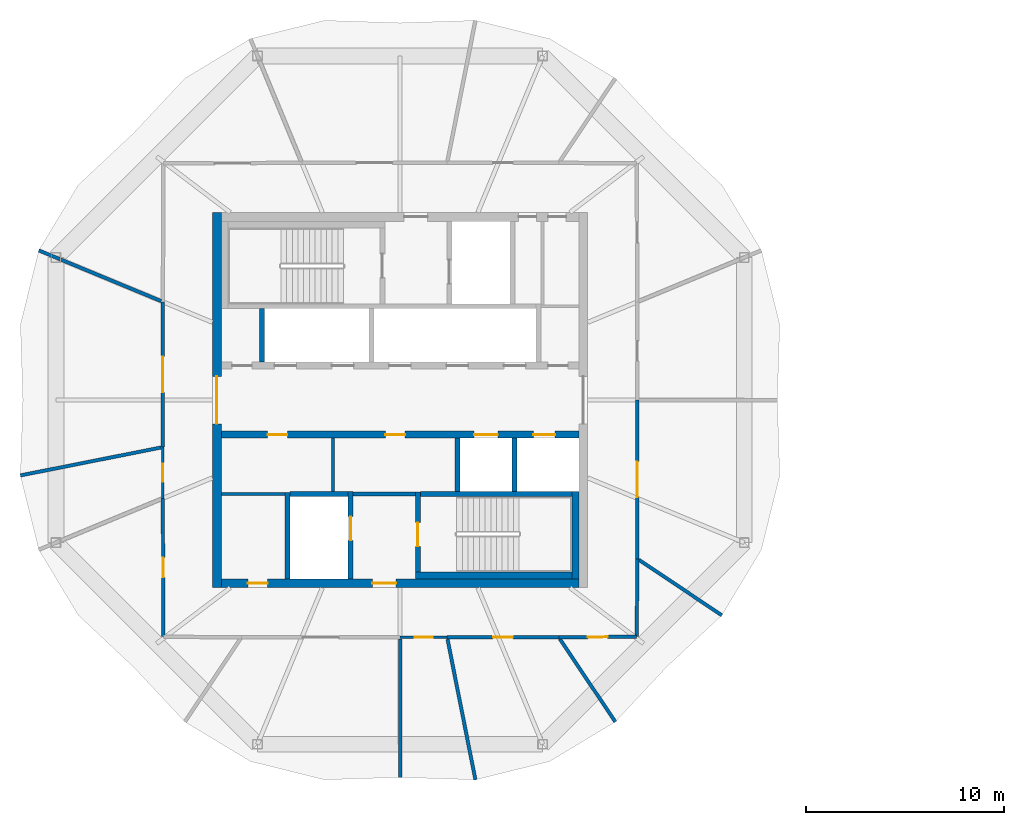
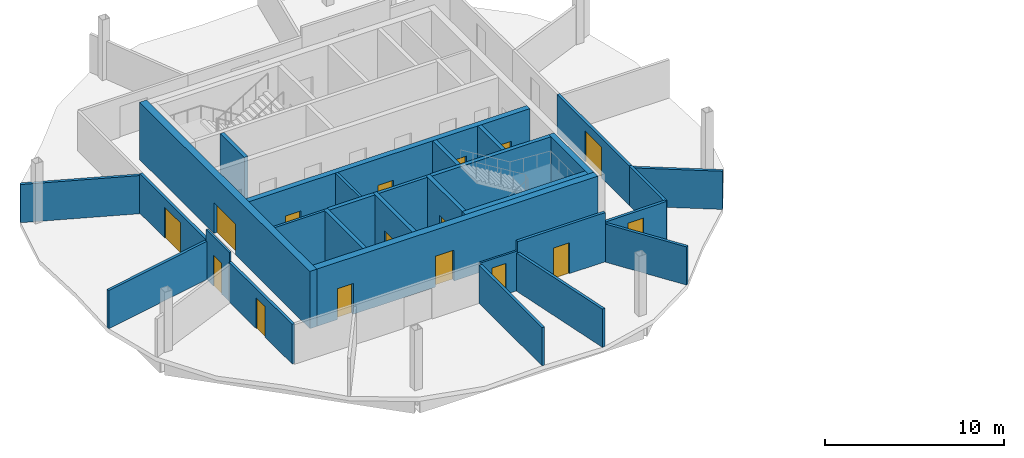
# One storey, part 5 of 10: 30 walls, 16 doors, 16 openings.
"""IFC4 building model written with IfcOpenShell, lengths in metres."""

from ifc_helpers import new_model, si_unit, direction, frame, frame_2d, origin, place, context, subcontext, project, spatial, rectangle, extrude, material, layer, layer_set, type_object, element, fill, save


model = new_model("IFC4")

# Units and contexts
model_context = context("Model", 3, precision=1e-05, world=origin(), true_north=direction((0.0, 1.0)))
body_context = subcontext(model_context, "Body", "Model", "MODEL_VIEW")
ifc_project = project(units=[si_unit("LENGTHUNIT", "METRE"), si_unit("AREAUNIT", "SQUARE_METRE"), si_unit("VOLUMEUNIT", "CUBIC_METRE"), si_unit("PLANEANGLEUNIT", "RADIAN"), si_unit("MASSUNIT", "GRAM", prefix="KILO")], contexts=[model_context])

# Site, building, storey
site_placement = place(None, origin())
site = spatial("IfcSite", under=ifc_project, at=site_placement, CompositionType="ELEMENT")
building_placement = place(site_placement, origin())
building = spatial("IfcBuilding", under=site, at=building_placement, Name="Ogive Gate Towers", CompositionType="ELEMENT")
storey_placement = place(building_placement, frame((0.0, 0.0, 264.60009765625)))
storey = spatial("IfcBuildingStorey", under=building, at=storey_placement, Name="L62", CompositionType="ELEMENT", Elevation=264.60009765625)

# Walls
ifc_material_1 = material(Name="Gypsum board acoustic partition")
ifc_layer_1 = layer(ifc_material_1, 0.175048828125)
ifc_layer_set_1 = layer_set([ifc_layer_1], Name="Acoustic partition 175")
wall_type_1 = type_object("IfcWallType", Name="Acoustic partition 175", PredefinedType="PARTITIONING", material=ifc_layer_set_1)
wall_1_placement = place(storey_placement, frame((-54.29296875, 7.5771484375, 0.0), z_axis=(0.0, 0.0, 1.0), x_axis=(0.923882053966, -0.382677344977, 0.0)))
element("IfcWall", 1, at=wall_1_placement, inside=storey, type_object=wall_type_1, Name="Partition T1-L62-006", PredefinedType="PARTITIONING", context=body_context, shape_type="SweptSolid", body=[
    extrude(rectangle(XDim=6.711669921875, YDim=0.175048828125, at=frame_2d((3.35595703125, 0.0))), origin(), (0.0, 0.0, 1.0), 2.599853515625),
])
wall_2_placement = place(storey_placement, frame((-55.224609375, -3.814697265625, 0.0), z_axis=(0.0, 0.0, 1.0), x_axis=(0.980875686276, 0.194635269344, 0.0)))
element("IfcWall", 2, at=wall_2_placement, inside=storey, type_object=wall_type_1, Name="Partition T1-L62-007", PredefinedType="PARTITIONING", context=body_context, shape_type="SweptSolid", body=[
    extrude(rectangle(XDim=7.261474609375, YDim=0.175048828125, at=frame_2d((3.630859375, 0.0))), origin(), (0.0, 0.0, 1.0), 2.599853515625),
])
wall_3_placement = place(storey_placement, frame((-36.0, -19.09912109375, 0.0), z_axis=(0.0, 0.0, 1.0), x_axis=(0.0, 1.0, 0.0)))
element("IfcWall", 3, at=wall_3_placement, inside=storey, type_object=wall_type_1, Name="Partition T1-L62-010", PredefinedType="PARTITIONING", context=body_context, shape_type="SweptSolid", body=[
    extrude(rectangle(XDim=7.011474609375, YDim=0.175048828125, at=frame_2d((3.505859375, 0.0))), origin(), (0.0, 0.0, 1.0), 2.599853515625),
])
wall_4_placement = place(storey_placement, frame((-32.185302734375, -19.224609375, 0.0), z_axis=(0.0, 0.0, 1.0), x_axis=(-0.194635269344, 0.980875686276, 0.0)))
element("IfcWall", 4, at=wall_4_placement, inside=storey, type_object=wall_type_1, Name="Partition T1-L62-011", PredefinedType="PARTITIONING", context=body_context, shape_type="SweptSolid", body=[
    extrude(rectangle(XDim=7.261474609375, YDim=0.175048828125, at=frame_2d((3.630859375, 0.0))), origin(), (0.0, 0.0, 1.0), 2.599853515625),
])
for number, where, z_axis, x_axis, name in (
    (5, (-25.103515625, -16.291259765625, 0.0), (0.0, 0.0, 1.0), (-0.555968529854, 0.831203340833, 0.0), "Partition T1-L62-012"),
    (6, (-19.708740234375, -10.896484375, 0.0), (0.0, 0.0, 1.0), (-0.831203340833, 0.555968529854, 0.0), "Partition T1-L62-013"),
):
    element("IfcWall", number, at=place(storey_placement, frame(where, z_axis=z_axis, x_axis=x_axis)), inside=storey, type_object=wall_type_1, Name=name, PredefinedType="PARTITIONING", context=body_context, shape_type="SweptSolid", body=[
        extrude(rectangle(XDim=5.061279296875, YDim=0.175048828125, at=frame_2d((2.53076171875, 0.0))), origin(), (0.0, 0.0, 1.0), 2.599853515625),
    ])

# Wall, opening, door
wall_5_placement = place(storey_placement, frame((-33.615478515625, -12.016357421875, 0.0), z_axis=(0.0, 0.0, 1.0), x_axis=(0.999999626489, 0.000864303912, 0.0)))
wall_5 = element("IfcWall", 7, at=wall_5_placement, inside=storey, type_object=wall_type_1, Name="Partition T1-L62-015", PredefinedType="PARTITIONING", context=body_context, shape_type="SweptSolid", body=[
    extrude(rectangle(XDim=5.6494140625, YDim=0.175048828125, at=frame_2d((2.82470703125, 0.0))), origin(), (0.0, 0.0, 1.0), 3.349853515625),
])
opening_1_placement = place(wall_5_placement, frame((2.324951171875, 0.0, 0.0)))
opening_1 = element("IfcOpeningElement", 8, at=opening_1_placement, cuts=wall_5, Name="Opening T1-L62-D02", PredefinedType="OPENING", context=body_context, shape_type="SweptSolid", body=[
    extrude(rectangle(XDim=1.0, YDim=2.10009765625, at=frame_2d((0.5, 1.050048828125))), frame((0.0, 0.09765625, 0.0), z_axis=(0.0, -1.0, 0.0), x_axis=(1.0, 0.0, 0.0)), (0.0, 0.0, 1.0), 0.195068359375),
])
ifc_material_2 = material(Name="Timber door", Category="wood")
door_type_1 = type_object("IfcDoorType", Name="Door 1000", OperationType="NOTDEFINED", PredefinedType="DOOR", material=ifc_material_2)
door_1_placement = place(opening_1_placement, origin())
door_1 = element("IfcDoor", 9, at=door_1_placement, inside=storey, type_object=door_type_1, Name="Door T1-L62-D02", OperationType="SINGLE_SWING_LEFT", OverallHeight=2.10009765625, OverallWidth=1.0, PredefinedType="DOOR", context=body_context, shape_type="SweptSolid", body=[
    extrude(rectangle(XDim=1.0, YDim=2.10009765625, at=frame_2d((0.5, 1.050048828125))), frame((0.0, 0.02490234375, 0.0), z_axis=(0.0, -1.0, 0.0), x_axis=(1.0, 0.0, 0.0)), (0.0, 0.0, 1.0), 0.050048828125),
])
fill(opening_1, door_1)

wall_6_placement = place(storey_placement, frame((-27.966064453125, -12.011474609375, 0.0), z_axis=(0.0, 0.0, 1.0), x_axis=(0.999968151812, 0.007980937424, 0.0)))
wall_6 = element("IfcWall", 10, at=wall_6_placement, inside=storey, type_object=wall_type_1, Name="Partition T1-L62-016", PredefinedType="PARTITIONING", context=body_context, shape_type="SweptSolid", body=[
    extrude(rectangle(XDim=3.9462890625, YDim=0.175048828125, at=frame_2d((1.97314453125, 0.0))), origin(), (0.0, 0.0, 1.0), 2.699951171875),
])
opening_2_placement = place(wall_6_placement, frame((1.472900390625, 0.0, 0.0)))
opening_2 = element("IfcOpeningElement", 11, at=opening_2_placement, cuts=wall_6, Name="Opening T1-L62-D03", PredefinedType="OPENING", context=body_context, shape_type="SweptSolid", body=[
    extrude(rectangle(XDim=1.0, YDim=2.10009765625, at=frame_2d((0.5, 1.050048828125))), frame((0.0, 0.09765625, 0.0), z_axis=(0.0, -1.0, 0.0), x_axis=(1.0, 0.0, 0.0)), (0.0, 0.0, 1.0), 0.195068359375),
])
door_2_placement = place(opening_2_placement, origin())
door_2 = element("IfcDoor", 12, at=door_2_placement, inside=storey, type_object=door_type_1, Name="Door T1-L62-D03", OperationType="SINGLE_SWING_RIGHT", OverallHeight=2.10009765625, OverallWidth=1.0, PredefinedType="DOOR", context=body_context, shape_type="SweptSolid", body=[
    extrude(rectangle(XDim=1.0, YDim=2.10009765625, at=frame_2d((0.5, 1.050048828125))), frame((0.0, 0.02490234375, 0.0), z_axis=(0.0, -1.0, 0.0), x_axis=(1.0, 0.0, 0.0)), (0.0, 0.0, 1.0), 0.050048828125),
])
fill(opening_2, door_2)

# Wall
wall_7_placement = place(storey_placement, frame((-24.02001953125, -11.97998046875, 0.0), z_axis=(0.0, 0.0, 1.0), x_axis=(0.007980937424, 0.999968151812, 0.0)))
element("IfcWall", 13, at=wall_7_placement, inside=storey, type_object=wall_type_1, Name="Partition T1-L62-017", PredefinedType="PARTITIONING", context=body_context, shape_type="SweptSolid", body=[
    extrude(rectangle(XDim=3.9462890625, YDim=0.175048828125, at=frame_2d((1.97314453125, 0.0))), origin(), (0.0, 0.0, 1.0), 2.699951171875),
])

# Wall, opening, door
wall_8_placement = place(storey_placement, frame((-23.988525390625, -8.033935546875, 0.0), z_axis=(0.0, 0.0, 1.0), x_axis=(-0.001428266085, 0.999998980027, 0.0)))
wall_8 = element("IfcWall", 14, at=wall_8_placement, inside=storey, type_object=wall_type_1, Name="Partition T1-L62-018", PredefinedType="PARTITIONING", context=body_context, shape_type="SweptSolid", body=[
    extrude(rectangle(XDim=8.033935546875, YDim=0.175048828125, at=frame_2d((4.01708984375, 0.0))), origin(), (0.0, 0.0, 1.0), 2.699951171875),
])
opening_3_placement = place(wall_8_placement, frame((3.116943359375, 0.0, 0.0)))
opening_3 = element("IfcOpeningElement", 15, at=opening_3_placement, cuts=wall_8, Name="Opening T1-L62-D04", PredefinedType="OPENING", context=body_context, shape_type="SweptSolid", body=[
    extrude(rectangle(XDim=1.800048828125, YDim=2.10009765625, at=frame_2d((0.89990234375, 1.050048828125))), frame((0.0, 0.09765625, 0.0), z_axis=(0.0, -1.0, 0.0), x_axis=(1.0, 0.0, 0.0)), (0.0, 0.0, 1.0), 0.195068359375),
])
door_type_2 = type_object("IfcDoorType", Name="Door pair 1800", OperationType="NOTDEFINED", PredefinedType="DOOR", material=ifc_material_2)
door_3_placement = place(opening_3_placement, origin())
door_3 = element("IfcDoor", 16, at=door_3_placement, inside=storey, type_object=door_type_2, Name="Door T1-L62-D04", OperationType="DOUBLE_DOOR_DOUBLE_SWING", OverallHeight=2.10009765625, OverallWidth=1.800048828125, PredefinedType="DOOR", context=body_context, shape_type="SweptSolid", body=[
    extrude(rectangle(XDim=1.800048828125, YDim=2.10009765625, at=frame_2d((0.89990234375, 1.050048828125))), frame((0.0, 0.02490234375, 0.0), z_axis=(0.0, -1.0, 0.0), x_axis=(1.0, 0.0, 0.0)), (0.0, 0.0, 1.0), 0.050048828125),
])
fill(opening_3, door_3)

wall_9_placement = place(storey_placement, frame((-48.011474609375, 4.975341796875, 0.0), z_axis=(0.0, 0.0, 1.0), x_axis=(-0.000663437789, -0.999999779925, 0.0)))
wall_9 = element("IfcWall", 17, at=wall_9_placement, inside=storey, type_object=wall_type_1, Name="Partition T1-L62-026", PredefinedType="PARTITIONING", context=body_context, shape_type="SweptSolid", body=[
    extrude(rectangle(XDim=7.35986328125, YDim=0.175048828125, at=frame_2d((3.679931640625, 0.0))), origin(), (0.0, 0.0, 1.0), 2.699951171875),
])
opening_4_placement = place(wall_9_placement, frame((2.780029296875, 0.0, 0.0)))
opening_4 = element("IfcOpeningElement", 18, at=opening_4_placement, cuts=wall_9, Name="Opening T1-L62-D10", PredefinedType="OPENING", context=body_context, shape_type="SweptSolid", body=[
    extrude(rectangle(XDim=1.800048828125, YDim=2.10009765625, at=frame_2d((0.89990234375, 1.050048828125))), frame((0.0, 0.09765625, 0.0), z_axis=(0.0, -1.0, 0.0), x_axis=(1.0, 0.0, 0.0)), (0.0, 0.0, 1.0), 0.195068359375),
])
door_4_placement = place(opening_4_placement, origin())
door_4 = element("IfcDoor", 19, at=door_4_placement, inside=storey, type_object=door_type_2, Name="Door T1-L62-D10", OperationType="DOUBLE_DOOR_DOUBLE_SWING", OverallHeight=2.10009765625, OverallWidth=1.800048828125, PredefinedType="DOOR", context=body_context, shape_type="SweptSolid", body=[
    extrude(rectangle(XDim=1.800048828125, YDim=2.10009765625, at=frame_2d((0.89990234375, 1.050048828125))), frame((0.0, 0.02490234375, 0.0), z_axis=(0.0, -1.0, 0.0), x_axis=(1.0, 0.0, 0.0)), (0.0, 0.0, 1.0), 0.050048828125),
])
fill(opening_4, door_4)

wall_10_placement = place(storey_placement, frame((-48.011474609375, -4.975341796875, 0.0), z_axis=(0.0, 0.0, 1.0), x_axis=(0.004496138026, -0.99998989232, 0.0)))
wall_10 = element("IfcWall", 20, at=wall_10_placement, inside=storey, type_object=wall_type_1, Name="Partition T1-L62-028", PredefinedType="PARTITIONING", context=body_context, shape_type="SweptSolid", body=[
    extrude(rectangle(XDim=7.004638671875, YDim=0.175048828125, at=frame_2d((3.50244140625, 0.0))), origin(), (0.0, 0.0, 1.0), 2.699951171875),
])
opening_5_placement = place(wall_10_placement, frame((3.001953125, 0.0, 0.0)))
opening_5 = element("IfcOpeningElement", 21, at=opening_5_placement, cuts=wall_10, Name="Opening T1-L62-D12", PredefinedType="OPENING", context=body_context, shape_type="SweptSolid", body=[
    extrude(rectangle(XDim=1.0, YDim=2.10009765625, at=frame_2d((0.5, 1.050048828125))), frame((0.0, 0.09765625, 0.0), z_axis=(0.0, -1.0, 0.0), x_axis=(1.0, 0.0, 0.0)), (0.0, 0.0, 1.0), 0.195068359375),
])
door_5_placement = place(opening_5_placement, origin())
door_5 = element("IfcDoor", 22, at=door_5_placement, inside=storey, type_object=door_type_1, Name="Door T1-L62-D12", OperationType="SINGLE_SWING_RIGHT", OverallHeight=2.10009765625, OverallWidth=1.0, PredefinedType="DOOR", context=body_context, shape_type="SweptSolid", body=[
    extrude(rectangle(XDim=1.0, YDim=2.10009765625, at=frame_2d((0.5, 1.050048828125))), frame((0.0, 0.02490234375, 0.0), z_axis=(0.0, -1.0, 0.0), x_axis=(1.0, 0.0, 0.0)), (0.0, 0.0, 1.0), 0.050048828125),
])
fill(opening_5, door_5)

# Wall
ifc_material_3 = material(Name="Masonry blockwork", Category="masonry")
ifc_layer_2 = layer(ifc_material_3, 0.199951171875)
ifc_layer_set_2 = layer_set([ifc_layer_2], Name="Blockwork wall 200 mm")
wall_type_2 = type_object("IfcWallType", Name="Blockwork wall 200 mm", PredefinedType="PARTITIONING", material=ifc_layer_set_2)
wall_11_placement = place(storey_placement, frame((-38.375, -4.75, 0.0), z_axis=(0.0, 0.0, 1.0), x_axis=(1.0, 0.0, 0.0)))
element("IfcWall", 23, at=wall_11_placement, inside=storey, type_object=wall_type_2, Name="T1 L62 Blockwork wall 200 mm", PredefinedType="PARTITIONING", context=body_context, shape_type="SweptSolid", body=[
    extrude(rectangle(XDim=3.14990234375, YDim=0.199951171875, at=frame_2d((1.574951171875, 0.0))), origin(), (0.0, 0.0, 1.0), 3.89990234375),
])

# Wall, openings, doors
ifc_material_4 = material(Name="Concrete C60/75", Category="concrete")
ifc_layer_3 = layer(ifc_material_4, 0.449951171875)
ifc_layer_set_3 = layer_set([ifc_layer_3], Name="Core wall 450 mm")
wall_type_3 = type_object("IfcWallType", Name="Core wall 450 mm", PredefinedType="SHEAR", material=ifc_layer_set_3)
wall_12_placement = place(storey_placement, frame((-45.050048828125, -9.27490234375, 0.0), z_axis=(0.0, 0.0, 1.0), x_axis=(1.0, 0.0, 0.0)))
wall_12 = element("IfcWall", 24, at=wall_12_placement, inside=storey, type_object=wall_type_3, Name="T1 L62 Core wall 450 mm", PredefinedType="SHEAR", context=body_context, shape_type="SweptSolid", body=[
    extrude(rectangle(XDim=18.10009765625, YDim=0.449951171875, at=frame_2d((9.050048828125, 0.0))), origin(), (0.0, 0.0, 1.0), 3.89990234375),
])
opening_6_placement = place(wall_12_placement, frame((7.64990234375, 0.0, 0.0)))
opening_6 = element("IfcOpeningElement", 25, at=opening_6_placement, cuts=wall_12, Name="Opening KD-T1-L62-19", PredefinedType="OPENING", context=body_context, shape_type="SweptSolid", body=[
    extrude(rectangle(XDim=1.199951171875, YDim=2.10009765625, at=frame_2d((0.60009765625, 1.050048828125))), frame((0.0, 0.23486328125, 0.0), z_axis=(0.0, -1.0, 0.0), x_axis=(1.0, 0.0, 0.0)), (0.0, 0.0, 1.0), 0.469970703125),
])
opening_7_placement = place(wall_12_placement, frame((1.35009765625, 0.0, 0.0)))
opening_7 = element("IfcOpeningElement", 26, at=opening_7_placement, cuts=wall_12, Name="Opening KD-T1-L62-22", PredefinedType="OPENING", context=body_context, shape_type="SweptSolid", body=[
    extrude(rectangle(XDim=1.0, YDim=2.10009765625, at=frame_2d((0.5, 1.050048828125))), frame((0.0, 0.23486328125, 0.0), z_axis=(0.0, -1.0, 0.0), x_axis=(1.0, 0.0, 0.0)), (0.0, 0.0, 1.0), 0.469970703125),
])
door_type_3 = type_object("IfcDoorType", Name="Accessible WC door 1000 x 2100", OperationType="NOTDEFINED", PredefinedType="DOOR", material=ifc_material_2)
door_6_placement = place(opening_7_placement, origin())
door_6 = element("IfcDoor", 27, at=door_6_placement, inside=storey, type_object=door_type_3, Name="T1 L62 Core door", OperationType="SINGLE_SWING_LEFT", OverallHeight=2.10009765625, OverallWidth=1.0, PredefinedType="DOOR", context=body_context, shape_type="SweptSolid", body=[
    extrude(rectangle(XDim=1.0, YDim=2.10009765625, at=frame_2d((0.5, 1.050048828125))), frame((0.0, 0.02490234375, 0.0), z_axis=(0.0, -1.0, 0.0), x_axis=(1.0, 0.0, 0.0)), (0.0, 0.0, 1.0), 0.050048828125),
])
fill(opening_7, door_6)
ifc_material_5 = material(Name="Steel fire door", Category="steel")
door_type_4 = type_object("IfcDoorType", Name="Core door FD60S 1200 x 2100", OperationType="NOTDEFINED", PredefinedType="DOOR", material=ifc_material_5)
door_7_placement = place(opening_6_placement, origin())
door_7 = element("IfcDoor", 28, at=door_7_placement, inside=storey, type_object=door_type_4, Name="T1 L62 Fire-fighting lobby door", OperationType="SINGLE_SWING_RIGHT", OverallHeight=2.10009765625, OverallWidth=1.199951171875, PredefinedType="DOOR", context=body_context, shape_type="SweptSolid", body=[
    extrude(rectangle(XDim=1.199951171875, YDim=2.10009765625, at=frame_2d((0.60009765625, 1.050048828125))), frame((0.0, 0.02490234375, 0.0), z_axis=(0.0, -1.0, 0.0), x_axis=(1.0, 0.0, 0.0)), (0.0, 0.0, 1.0), 0.050048828125),
])
fill(opening_6, door_7)

# Wall, opening, door
wall_13_placement = place(storey_placement, frame((-45.27490234375, -9.5, 0.0), z_axis=(0.0, 0.0, 1.0), x_axis=(0.0, 1.0, 0.0)))
wall_13 = element("IfcWall", 29, at=wall_13_placement, inside=storey, type_object=wall_type_3, Name="T1 L62 Core wall 450 mm", PredefinedType="SHEAR", context=body_context, shape_type="SweptSolid", body=[
    extrude(rectangle(XDim=19.0, YDim=0.449951171875, at=frame_2d((9.5, 0.0))), origin(), (0.0, 0.0, 1.0), 3.89990234375),
])
opening_8_placement = place(wall_13_placement, frame((8.300048828125, 0.0, 0.0)))
opening_8 = element("IfcOpeningElement", 30, at=opening_8_placement, cuts=wall_13, Name="Opening KD-T1-L62-01", PredefinedType="OPENING", context=body_context, shape_type="SweptSolid", body=[
    extrude(rectangle(XDim=2.39990234375, YDim=2.10009765625, at=frame_2d((1.199951171875, 1.050048828125))), frame((0.0, 0.23486328125, 0.0), z_axis=(0.0, -1.0, 0.0), x_axis=(1.0, 0.0, 0.0)), (0.0, 0.0, 1.0), 0.469970703125),
])
door_type_5 = type_object("IfcDoorType", Name="Core double door FD60S 2400 x 2100", OperationType="DOUBLE_DOOR_SINGLE_SWING", PredefinedType="DOOR", material=ifc_material_5)
door_8_placement = place(opening_8_placement, origin())
door_8 = element("IfcDoor", 31, at=door_8_placement, inside=storey, type_object=door_type_5, Name="T1 L62 Core door double", OperationType="DOUBLE_DOOR_SINGLE_SWING", OverallHeight=2.10009765625, OverallWidth=2.39990234375, PredefinedType="DOOR", context=body_context, shape_type="SweptSolid", body=[
    extrude(rectangle(XDim=2.39990234375, YDim=2.10009765625, at=frame_2d((1.199951171875, 1.050048828125))), frame((0.0, 0.02490234375, 0.0), z_axis=(0.0, -1.0, 0.0), x_axis=(1.0, 0.0, 0.0)), (0.0, 0.0, 1.0), 0.050048828125),
])
fill(opening_8, door_8)

ifc_material_6 = material(Name="Gypsum board partition")
ifc_layer_4 = layer(ifc_material_6, 0.125)
ifc_layer_set_4 = layer_set([ifc_layer_4], Name="Partition 125")
wall_type_4 = type_object("IfcWallType", Name="Partition 125", PredefinedType="PARTITIONING", material=ifc_layer_set_4)
wall_14_placement = place(storey_placement, frame((-36.0, -12.0, 0.0), z_axis=(0.0, 0.0, 1.0), x_axis=(0.999976472168, -0.006859672738, 0.0)))
wall_14 = element("IfcWall", 32, at=wall_14_placement, inside=storey, type_object=wall_type_4, Name="Partition T1-L62-014", PredefinedType="PARTITIONING", context=body_context, shape_type="SweptSolid", body=[
    extrude(rectangle(XDim=2.384521484375, YDim=0.125, at=frame_2d((1.1923828125, 0.0))), origin(), (0.0, 0.0, 1.0), 2.699951171875),
])
opening_9_placement = place(wall_14_placement, frame((0.741943359375, 0.0, 0.0)))
opening_9 = element("IfcOpeningElement", 33, at=opening_9_placement, cuts=wall_14, Name="Opening T1-L62-D01", PredefinedType="OPENING", context=body_context, shape_type="SweptSolid", body=[
    extrude(rectangle(XDim=0.89990234375, YDim=2.10009765625, at=frame_2d((0.449951171875, 1.050048828125))), frame((0.0, 0.072509765625, 0.0), z_axis=(0.0, -1.0, 0.0), x_axis=(1.0, 0.0, 0.0)), (0.0, 0.0, 1.0), 0.14501953125),
])
door_type_6 = type_object("IfcDoorType", Name="Door 900", OperationType="NOTDEFINED", PredefinedType="DOOR", material=ifc_material_2)
door_9_placement = place(opening_9_placement, origin())
door_9 = element("IfcDoor", 34, at=door_9_placement, inside=storey, type_object=door_type_6, Name="Door T1-L62-D01", OperationType="SINGLE_SWING_LEFT", OverallHeight=2.10009765625, OverallWidth=0.89990234375, PredefinedType="DOOR", context=body_context, shape_type="SweptSolid", body=[
    extrude(rectangle(XDim=0.89990234375, YDim=2.10009765625, at=frame_2d((0.449951171875, 1.050048828125))), frame((0.0, 0.02490234375, 0.0), z_axis=(0.0, -1.0, 0.0), x_axis=(1.0, 0.0, 0.0)), (0.0, 0.0, 1.0), 0.050048828125),
])
fill(opening_9, door_9)

wall_15_placement = place(storey_placement, frame((-48.016357421875, -2.384521484375, 0.0), z_axis=(0.0, 0.0, 1.0), x_axis=(0.00188465553, -0.999998224035, 0.0)))
wall_15 = element("IfcWall", 35, at=wall_15_placement, inside=storey, type_object=wall_type_4, Name="Partition T1-L62-027", PredefinedType="PARTITIONING", context=body_context, shape_type="SweptSolid", body=[
    extrude(rectangle(XDim=2.5908203125, YDim=0.125, at=frame_2d((1.29541015625, 0.0))), origin(), (0.0, 0.0, 1.0), 3.349853515625),
])
opening_10_placement = place(wall_15_placement, frame((0.844970703125, 0.0, 0.0)))
opening_10 = element("IfcOpeningElement", 36, at=opening_10_placement, cuts=wall_15, Name="Opening T1-L62-D11", PredefinedType="OPENING", context=body_context, shape_type="SweptSolid", body=[
    extrude(rectangle(XDim=0.89990234375, YDim=2.10009765625, at=frame_2d((0.449951171875, 1.050048828125))), frame((0.0, 0.072509765625, 0.0), z_axis=(0.0, -1.0, 0.0), x_axis=(1.0, 0.0, 0.0)), (0.0, 0.0, 1.0), 0.14501953125),
])
door_10_placement = place(opening_10_placement, origin())
door_10 = element("IfcDoor", 37, at=door_10_placement, inside=storey, type_object=door_type_6, Name="Door T1-L62-D11", OperationType="SINGLE_SWING_LEFT", OverallHeight=2.10009765625, OverallWidth=0.89990234375, PredefinedType="DOOR", context=body_context, shape_type="SweptSolid", body=[
    extrude(rectangle(XDim=0.89990234375, YDim=2.10009765625, at=frame_2d((0.449951171875, 1.050048828125))), frame((0.0, 0.02490234375, 0.0), z_axis=(0.0, -1.0, 0.0), x_axis=(1.0, 0.0, 0.0)), (0.0, 0.0, 1.0), 0.050048828125),
])
fill(opening_10, door_10)

# Walls
ifc_layer_5 = layer(ifc_material_6, 0.14990234375)
ifc_layer_set_5 = layer_set([ifc_layer_5], Name="Room partition 150 mm")
wall_type_5 = type_object("IfcWallType", Name="Room partition 150 mm", PredefinedType="PARTITIONING", material=ifc_layer_set_5)
wall_16_placement = place(storey_placement, frame((-45.050048828125, -4.75, 0.0), z_axis=(0.0, 0.0, 1.0), x_axis=(1.0, 0.0, 0.0)))
element("IfcWall", 38, at=wall_16_placement, inside=storey, type_object=wall_type_5, Name="T1 L62 Room partition 150 mm", PredefinedType="PARTITIONING", context=body_context, shape_type="SweptSolid", body=[
    extrude(rectangle(XDim=3.22509765625, YDim=0.14990234375, at=frame_2d((1.612548828125, 0.0))), origin(), (0.0, 0.0, 1.0), 3.89990234375),
])
wall_17_placement = place(storey_placement, frame((-39.39990234375, -4.625, 0.0), z_axis=(0.0, 0.0, 1.0), x_axis=(0.0, 1.0, 0.0)))
element("IfcWall", 39, at=wall_17_placement, inside=storey, type_object=wall_type_5, Name="T1 L62 Room partition 150 mm", PredefinedType="PARTITIONING", context=body_context, shape_type="SweptSolid", body=[
    extrude(rectangle(XDim=2.699951171875, YDim=0.14990234375, at=frame_2d((1.35009765625, 0.0))), origin(), (0.0, 0.0, 1.0), 3.89990234375),
])
ifc_layer_6 = layer(ifc_material_4, 0.25)
ifc_layer_set_6 = layer_set([ifc_layer_6], Name="Shaft wall 250 mm")
wall_type_6 = type_object("IfcWallType", Name="Shaft wall 250 mm", PredefinedType="SHEAR", material=ifc_layer_set_6)
wall_18_placement = place(storey_placement, frame((-41.574951171875, -4.75, 0.0), z_axis=(0.0, 0.0, 1.0), x_axis=(1.0, 0.0, 0.0)))
element("IfcWall", 40, at=wall_18_placement, inside=storey, type_object=wall_type_6, Name="T1 L62 Shaft wall 250 mm", PredefinedType="SHEAR", context=body_context, shape_type="SweptSolid", body=[
    extrude(rectangle(XDim=2.949951171875, YDim=0.25, at=frame_2d((1.47509765625, 0.0))), origin(), (0.0, 0.0, 1.0), 3.89990234375),
])
wall_19_placement = place(storey_placement, frame((-34.97509765625, -4.75, 0.0), z_axis=(0.0, 0.0, 1.0), x_axis=(1.0, 0.0, 0.0)))
element("IfcWall", 41, at=wall_19_placement, inside=storey, type_object=wall_type_6, Name="T1 L62 Shaft wall 250 mm", PredefinedType="SHEAR", context=body_context, shape_type="SweptSolid", body=[
    extrude(rectangle(XDim=7.675048828125, YDim=0.25, at=frame_2d((3.83740234375, 0.0))), origin(), (0.0, 0.0, 1.0), 3.89990234375),
])
wall_20_placement = place(storey_placement, frame((-43.0, 1.925048828125, 0.0), z_axis=(0.0, 0.0, 1.0), x_axis=(0.0, 1.0, 0.0)))
element("IfcWall", 42, at=wall_20_placement, inside=storey, type_object=wall_type_6, Name="T1 L62 Shaft wall 250 mm", PredefinedType="SHEAR", context=body_context, shape_type="SweptSolid", body=[
    extrude(rectangle(XDim=2.699951171875, YDim=0.25, at=frame_2d((1.35009765625, 0.0))), origin(), (0.0, 0.0, 1.0), 3.89990234375),
])
wall_21_placement = place(storey_placement, frame((-41.699951171875, -9.050048828125, 0.0), z_axis=(0.0, 0.0, 1.0), x_axis=(0.0, 1.0, 0.0)))
element("IfcWall", 43, at=wall_21_placement, inside=storey, type_object=wall_type_6, Name="T1 L62 Shaft wall 250 mm", PredefinedType="SHEAR", context=body_context, shape_type="SweptSolid", body=[
    extrude(rectangle(XDim=4.375, YDim=0.25, at=frame_2d((2.1875, 0.0))), origin(), (0.0, 0.0, 1.0), 3.89990234375),
])

# Wall, opening, door
wall_22_placement = place(storey_placement, frame((-38.5, -9.050048828125, 0.0), z_axis=(0.0, 0.0, 1.0), x_axis=(0.0, 1.0, 0.0)))
wall_22 = element("IfcWall", 44, at=wall_22_placement, inside=storey, type_object=wall_type_6, Name="T1 L62 Shaft wall 250 mm", PredefinedType="SHEAR", context=body_context, shape_type="SweptSolid", body=[
    extrude(rectangle(XDim=4.425048828125, YDim=0.25, at=frame_2d((2.21240234375, 0.0))), origin(), (0.0, 0.0, 1.0), 3.89990234375),
])
opening_11_placement = place(wall_22_placement, frame((1.949951171875, 0.0, 0.0)))
opening_11 = element("IfcOpeningElement", 45, at=opening_11_placement, cuts=wall_22, Name="Opening LD-T1-L62-13", PredefinedType="OPENING", context=body_context, shape_type="SweptSolid", body=[
    extrude(rectangle(XDim=1.199951171875, YDim=2.10009765625, at=frame_2d((0.60009765625, 1.050048828125))), frame((0.0, 0.135009765625, 0.0), z_axis=(0.0, -1.0, 0.0), x_axis=(1.0, 0.0, 0.0)), (0.0, 0.0, 1.0), 0.27001953125),
])
ifc_material_7 = material(Name="Stainless steel landing door", Category="steel")
door_type_7 = type_object("IfcDoorType", Name="Landing door 1200 x 2100", OperationType="SLIDING_TO_LEFT", PredefinedType="DOOR", material=ifc_material_7)
door_11_placement = place(opening_11_placement, origin())
door_11 = element("IfcDoor", 46, at=door_11_placement, inside=storey, type_object=door_type_7, Name="T1 L62 Lift landing door FF2", OperationType="SLIDING_TO_LEFT", OverallHeight=2.10009765625, OverallWidth=1.199951171875, PredefinedType="DOOR", context=body_context, shape_type="SweptSolid", body=[
    extrude(rectangle(XDim=1.199951171875, YDim=2.10009765625, at=frame_2d((0.60009765625, 1.050048828125))), frame((0.0, 0.02490234375, 0.0), z_axis=(0.0, -1.0, 0.0), x_axis=(1.0, 0.0, 0.0)), (0.0, 0.0, 1.0), 0.050048828125),
])
fill(opening_11, door_11)

wall_23_placement = place(storey_placement, frame((-35.10009765625, -8.699951171875, 0.0), z_axis=(0.0, 0.0, 1.0), x_axis=(0.0, 1.0, 0.0)))
wall_23 = element("IfcWall", 47, at=wall_23_placement, inside=storey, type_object=wall_type_6, Name="T1 L62 Shaft wall 250 mm", PredefinedType="SHEAR", context=body_context, shape_type="SweptSolid", body=[
    extrude(rectangle(XDim=4.050048828125, YDim=0.25, at=frame_2d((2.02490234375, 0.0))), origin(), (0.0, 0.0, 1.0), 3.89990234375),
])
opening_12_placement = place(wall_23_placement, frame((1.300048828125, 0.0, 0.0)))
opening_12 = element("IfcOpeningElement", 48, at=opening_12_placement, cuts=wall_23, Name="Opening KD-T1-L62-17", PredefinedType="OPENING", context=body_context, shape_type="SweptSolid", body=[
    extrude(rectangle(XDim=1.199951171875, YDim=2.10009765625, at=frame_2d((0.60009765625, 1.050048828125))), frame((0.0, 0.135009765625, 0.0), z_axis=(0.0, -1.0, 0.0), x_axis=(1.0, 0.0, 0.0)), (0.0, 0.0, 1.0), 0.27001953125),
])
door_12_placement = place(opening_12_placement, origin())
door_12 = element("IfcDoor", 49, at=door_12_placement, inside=storey, type_object=door_type_4, Name="T1 L62 Stair door", OperationType="SINGLE_SWING_RIGHT", OverallHeight=2.10009765625, OverallWidth=1.199951171875, PredefinedType="DOOR", context=body_context, shape_type="SweptSolid", body=[
    extrude(rectangle(XDim=1.199951171875, YDim=2.10009765625, at=frame_2d((0.60009765625, 1.050048828125))), frame((0.0, 0.02490234375, 0.0), z_axis=(0.0, -1.0, 0.0), x_axis=(1.0, 0.0, 0.0)), (0.0, 0.0, 1.0), 0.050048828125),
])
fill(opening_12, door_12)

# Walls
for number, where, z_axis, x_axis, name in (
    (50, (-33.10009765625, -4.625, 0.0), (0.0, 0.0, 1.0), (0.0, 1.0, 0.0), "T1 L62 Shaft wall 250 mm"),
    (51, (-30.199951171875, -4.625, 0.0), (0.0, 0.0, 1.0), (0.0, 1.0, 0.0), "T1 L62 Shaft wall 250 mm"),
):
    element("IfcWall", number, at=place(storey_placement, frame(where, z_axis=z_axis, x_axis=x_axis)), inside=storey, type_object=wall_type_6, Name=name, PredefinedType="SHEAR", context=body_context, shape_type="SweptSolid", body=[
        extrude(rectangle(XDim=2.699951171875, YDim=0.25, at=frame_2d((1.35009765625, 0.0))), origin(), (0.0, 0.0, 1.0), 3.89990234375),
    ])

# Wall, openings, doors
ifc_layer_7 = layer(ifc_material_4, 0.35009765625)
ifc_layer_set_7 = layer_set([ifc_layer_7], Name="Spine wall 350 mm")
wall_type_7 = type_object("IfcWallType", Name="Spine wall 350 mm", PredefinedType="SHEAR", material=ifc_layer_set_7)
wall_24_placement = place(storey_placement, frame((-45.050048828125, -1.75, 0.0), z_axis=(0.0, 0.0, 1.0), x_axis=(1.0, 0.0, 0.0)))
wall_24 = element("IfcWall", 52, at=wall_24_placement, inside=storey, type_object=wall_type_7, Name="T1 L62 Spine wall 350 mm", PredefinedType="SHEAR", context=body_context, shape_type="SweptSolid", body=[
    extrude(rectangle(XDim=18.10009765625, YDim=0.35009765625, at=frame_2d((9.050048828125, 0.0))), origin(), (0.0, 0.0, 1.0), 3.89990234375),
])
opening_13_placement = place(wall_24_placement, frame((12.800048828125, 0.0, 0.0)))
opening_13 = element("IfcOpeningElement", 53, at=opening_13_placement, cuts=wall_24, Name="Opening LD-T1-L62-10", PredefinedType="OPENING", context=body_context, shape_type="SweptSolid", body=[
    extrude(rectangle(XDim=1.199951171875, YDim=2.10009765625, at=frame_2d((0.60009765625, 1.050048828125))), frame((0.0, 0.18505859375, 0.0), z_axis=(0.0, -1.0, 0.0), x_axis=(1.0, 0.0, 0.0)), (0.0, 0.0, 1.0), 0.3701171875),
])
opening_14_placement = place(wall_24_placement, frame((15.800048828125, 0.0, 0.0)))
opening_14 = element("IfcOpeningElement", 54, at=opening_14_placement, cuts=wall_24, Name="Opening LD-T1-L62-11", PredefinedType="OPENING", context=body_context, shape_type="SweptSolid", body=[
    extrude(rectangle(XDim=1.10009765625, YDim=2.10009765625, at=frame_2d((0.550048828125, 1.050048828125))), frame((0.0, 0.18505859375, 0.0), z_axis=(0.0, -1.0, 0.0), x_axis=(1.0, 0.0, 0.0)), (0.0, 0.0, 1.0), 0.3701171875),
])
opening_15_placement = place(wall_24_placement, frame((2.35009765625, 0.0, 0.0)))
opening_15 = element("IfcOpeningElement", 55, at=opening_15_placement, cuts=wall_24, Name="Opening KD-T1-L62-14", PredefinedType="OPENING", context=body_context, shape_type="SweptSolid", body=[
    extrude(rectangle(XDim=1.0, YDim=2.10009765625, at=frame_2d((0.5, 1.050048828125))), frame((0.0, 0.18505859375, 0.0), z_axis=(0.0, -1.0, 0.0), x_axis=(1.0, 0.0, 0.0)), (0.0, 0.0, 1.0), 0.3701171875),
])
opening_16_placement = place(wall_24_placement, frame((8.300048828125, 0.0, 0.0)))
opening_16 = element("IfcOpeningElement", 56, at=opening_16_placement, cuts=wall_24, Name="Opening KD-T1-L62-15", PredefinedType="OPENING", context=body_context, shape_type="SweptSolid", body=[
    extrude(rectangle(XDim=1.0, YDim=2.10009765625, at=frame_2d((0.5, 1.050048828125))), frame((0.0, 0.18505859375, 0.0), z_axis=(0.0, -1.0, 0.0), x_axis=(1.0, 0.0, 0.0)), (0.0, 0.0, 1.0), 0.3701171875),
])
door_type_8 = type_object("IfcDoorType", Name="Core door FD60S 1000 x 2100", OperationType="NOTDEFINED", PredefinedType="DOOR", material=ifc_material_5)
door_13_placement = place(opening_15_placement, origin())
door_13 = element("IfcDoor", 57, at=door_13_placement, inside=storey, type_object=door_type_8, Name="T1 L62 Core door", OperationType="SINGLE_SWING_LEFT", OverallHeight=2.10009765625, OverallWidth=1.0, PredefinedType="DOOR", context=body_context, shape_type="SweptSolid", body=[
    extrude(rectangle(XDim=1.0, YDim=2.10009765625, at=frame_2d((0.5, 1.050048828125))), frame((0.0, 0.02490234375, 0.0), z_axis=(0.0, -1.0, 0.0), x_axis=(1.0, 0.0, 0.0)), (0.0, 0.0, 1.0), 0.050048828125),
])
fill(opening_15, door_13)
door_14_placement = place(opening_16_placement, origin())
door_14 = element("IfcDoor", 58, at=door_14_placement, inside=storey, type_object=door_type_8, Name="T1 L62 Core door", OperationType="SINGLE_SWING_RIGHT", OverallHeight=2.10009765625, OverallWidth=1.0, PredefinedType="DOOR", context=body_context, shape_type="SweptSolid", body=[
    extrude(rectangle(XDim=1.0, YDim=2.10009765625, at=frame_2d((0.5, 1.050048828125))), frame((0.0, 0.02490234375, 0.0), z_axis=(0.0, -1.0, 0.0), x_axis=(1.0, 0.0, 0.0)), (0.0, 0.0, 1.0), 0.050048828125),
])
fill(opening_16, door_14)
door_type_9 = type_object("IfcDoorType", Name="Landing door 1100 x 2100", OperationType="SLIDING_TO_LEFT", PredefinedType="DOOR", material=ifc_material_7)
door_15_placement = place(opening_14_placement, origin())
door_15 = element("IfcDoor", 59, at=door_15_placement, inside=storey, type_object=door_type_9, Name="T1 L62 Lift landing door B6", OperationType="SLIDING_TO_LEFT", OverallHeight=2.10009765625, OverallWidth=1.10009765625, PredefinedType="DOOR", context=body_context, shape_type="SweptSolid", body=[
    extrude(rectangle(XDim=1.10009765625, YDim=2.10009765625, at=frame_2d((0.550048828125, 1.050048828125))), frame((0.0, 0.02490234375, 0.0), z_axis=(0.0, -1.0, 0.0), x_axis=(1.0, 0.0, 0.0)), (0.0, 0.0, 1.0), 0.050048828125),
])
fill(opening_14, door_15)
door_16_placement = place(opening_13_placement, origin())
door_16 = element("IfcDoor", 60, at=door_16_placement, inside=storey, type_object=door_type_7, Name="T1 L62 Lift landing door SVC", OperationType="SLIDING_TO_LEFT", OverallHeight=2.10009765625, OverallWidth=1.199951171875, PredefinedType="DOOR", context=body_context, shape_type="SweptSolid", body=[
    extrude(rectangle(XDim=1.199951171875, YDim=2.10009765625, at=frame_2d((0.60009765625, 1.050048828125))), frame((0.0, 0.02490234375, 0.0), z_axis=(0.0, -1.0, 0.0), x_axis=(1.0, 0.0, 0.0)), (0.0, 0.0, 1.0), 0.050048828125),
])
fill(opening_13, door_16)

# Walls
ifc_layer_8 = layer(ifc_material_4, 0.35009765625)
ifc_layer_set_8 = layer_set([ifc_layer_8], Name="Stair wall 350 mm")
wall_type_8 = type_object("IfcWallType", Name="Stair wall 350 mm", PredefinedType="SHEAR", material=ifc_layer_set_8)
wall_25_placement = place(storey_placement, frame((-35.22509765625, -8.875, 0.0), z_axis=(0.0, 0.0, 1.0), x_axis=(1.0, 0.0, 0.0)))
element("IfcWall", 61, at=wall_25_placement, inside=storey, type_object=wall_type_8, Name="T1 L62 Stair wall 350 mm", PredefinedType="SHEAR", context=body_context, shape_type="SweptSolid", body=[
    extrude(rectangle(XDim=7.925048828125, YDim=0.35009765625, at=frame_2d((3.96240234375, 0.0))), origin(), (0.0, 0.0, 1.0), 3.89990234375),
])
wall_26_placement = place(storey_placement, frame((-27.125, -9.050048828125, 0.0), z_axis=(0.0, 0.0, 1.0), x_axis=(0.0, 1.0, 0.0)))
element("IfcWall", 62, at=wall_26_placement, inside=storey, type_object=wall_type_8, Name="T1 L62 Stair wall 350 mm", PredefinedType="SHEAR", context=body_context, shape_type="SweptSolid", body=[
    extrude(rectangle(XDim=4.425048828125, YDim=0.35009765625, at=frame_2d((2.21240234375, 0.0))), origin(), (0.0, 0.0, 1.0), 3.89990234375),
])

save(model, "model.ifc")
